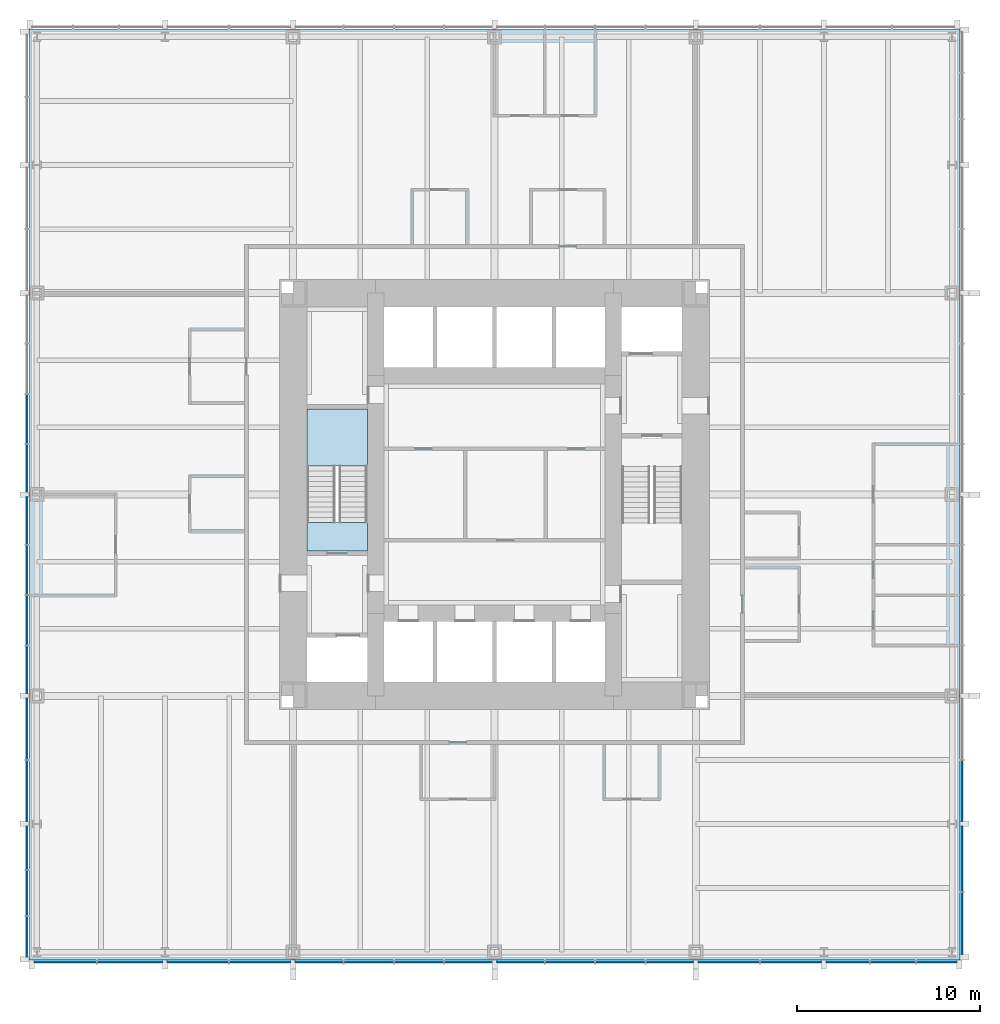
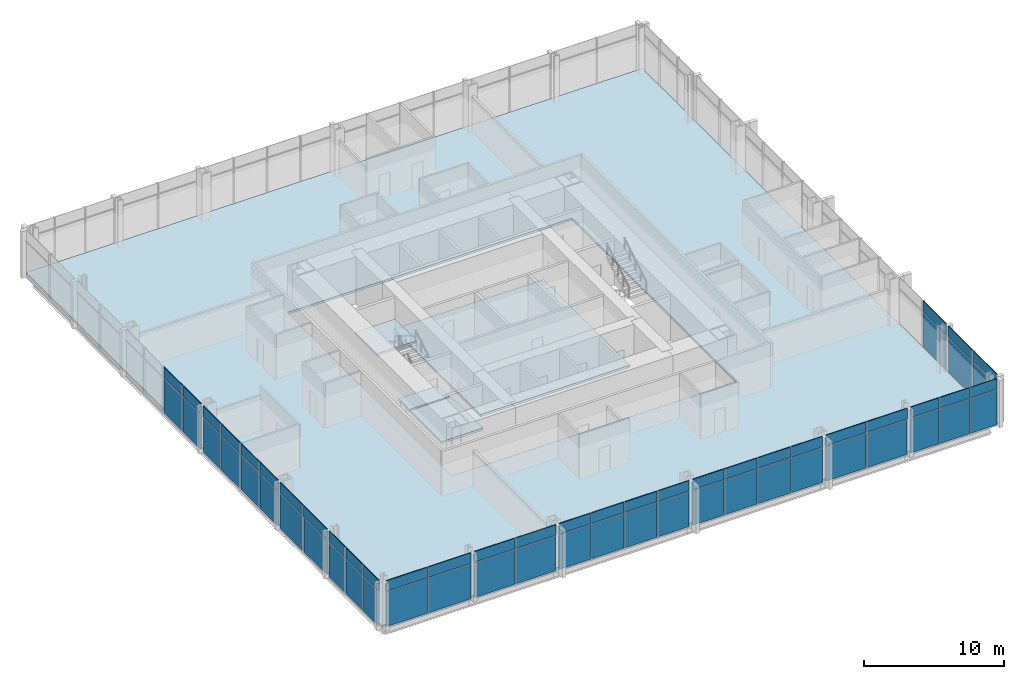
# One storey, part 7 of 12: 62 plates, 5 slabs, 4 elements without a shape of their own.
"""IFC4 building model written with IfcOpenShell, lengths in metres."""

import ifcopenshell
import ifcopenshell.guid

model = None  # the IFC model being written
_history = None  # IfcOwnerHistory: only IFC2X3 demands one
_inside = {}  # id of a spatial element -> (the spatial element, [elements in it])
_under = {}  # id of a project, library or spatial element -> (it, [spatial elements below it])
_declared = {}  # id of a project -> (the project, [libraries it declares])
_typed = {}  # id of a type object -> (the type object, [elements of that type])
_made_of = {}  # id of a material, layer set ... -> (it, [elements and type objects made of it])


def new_model(schema):
    """Start an empty IFC model of exactly this schema.

    Asked for "IFC4X3", IfcOpenShell would pick the latest addendum, in which some entities
    have other attributes; the version numbers below select the first issue.
    IFC2X3 requires an IfcOwnerHistory on every rooted entity: one is made here for all.
    """
    global model, _history
    if schema == "IFC4X3":
        model = ifcopenshell.file(schema_version=(4, 3, 0, 0))
    else:
        model = ifcopenshell.file(schema=schema)
    _inside.clear()
    _under.clear()
    _declared.clear()
    _typed.clear()
    _made_of.clear()
    _history = None
    if model.schema == "IFC2X3":
        org = make("IfcOrganization", Name="unknown")
        user = make(
            "IfcPersonAndOrganization",
            ThePerson=make("IfcPerson", FamilyName="unknown"),
            TheOrganization=org,
        )
        app = make(
            "IfcApplication",
            ApplicationDeveloper=org,
            Version="unknown",
            ApplicationFullName="unknown",
            ApplicationIdentifier="unknown",
        )
        _history = make(
            "IfcOwnerHistory",
            OwningUser=user,
            OwningApplication=app,
            ChangeAction="ADDED",
            CreationDate=0,
        )
    return model


def make(cls, **values):
    """One entity of the class cls with the attributes given. An attribute that is None is left unset."""
    return model.create_entity(
        cls, **{name: value for name, value in values.items() if value is not None}
    )


def rooted(cls, **values):
    """An entity with a GlobalId (a new one), such as an element, a storey or a relation."""
    return make(cls, GlobalId=ifcopenshell.guid.new(), OwnerHistory=_history, **values)


def si_unit(unit_type, name, prefix=None):
    """IfcSIUnit, for example si_unit("LENGTHUNIT", "METRE", prefix="MILLI")."""
    return make("IfcSIUnit", UnitType=unit_type, Prefix=prefix, Name=name)


def assignment(units):
    """IfcUnitAssignment: the units of a project."""
    return None if units is None else make("IfcUnitAssignment", Units=units)


def point(xyz):
    """IfcCartesianPoint."""
    return None if xyz is None else make("IfcCartesianPoint", Coordinates=xyz)


def direction(xyz):
    """IfcDirection."""
    return None if xyz is None else make("IfcDirection", DirectionRatios=xyz)


def frame(location, z_axis=None, x_axis=None):
    """IfcAxis2Placement3D, a coordinate frame: its origin and axes. An axis left out is left unset."""
    return make(
        "IfcAxis2Placement3D",
        Location=point(location),
        Axis=direction(z_axis),
        RefDirection=direction(x_axis),
    )


def frame_2d(location, x_axis=None):
    """IfcAxis2Placement2D, a coordinate frame in the plane: its origin and x axis."""
    return make(
        "IfcAxis2Placement2D", Location=point(location), RefDirection=direction(x_axis)
    )


def origin():
    """The frame at (0, 0, 0) with its axes left unset."""
    return frame((0.0, 0.0, 0.0))


def origin_2d():
    """The frame at (0, 0) in the plane with its x axis left unset."""
    return frame_2d((0.0, 0.0))


def place(relative_to, where):
    """IfcLocalPlacement: puts the frame where relative to a parent placement (None: the world)."""
    return make(
        "IfcLocalPlacement", PlacementRelTo=relative_to, RelativePlacement=where
    )


def context(
    kind, dimensions, precision=None, world=None, true_north=None, identifier=None
):
    """IfcGeometricRepresentationContext, for example the 3D "Model" context."""
    return make(
        "IfcGeometricRepresentationContext",
        ContextIdentifier=identifier,
        ContextType=kind,
        CoordinateSpaceDimension=dimensions,
        Precision=precision,
        WorldCoordinateSystem=world,
        TrueNorth=true_north,
    )


def subcontext(parent, identifier, kind, view, scale=None):
    """IfcGeometricRepresentationSubContext, for example "Body" below "Model"."""
    return make(
        "IfcGeometricRepresentationSubContext",
        ContextIdentifier=identifier,
        ContextType=kind,
        ParentContext=parent,
        TargetScale=scale,
        TargetView=view,
    )


def project(units=None, contexts=None):
    """IfcProject with its units and contexts."""
    return rooted(
        "IfcProject",
        Name="project",
        RepresentationContexts=contexts,
        UnitsInContext=assignment(units),
    )


def spatial(cls, under=None, at=None, **own):
    """A site, building, storey or space (cls), placed at a placement, below another one or the project."""
    s = rooted(cls, ObjectPlacement=at, **own)
    if under is not None:
        _under.setdefault(under.id(), (under, []))[1].append(s)
    return s


def polyline(points):
    """IfcPolyline through the points."""
    return make("IfcPolyline", Points=[point(p) for p in points])


def profile(cls, at=None, kind="AREA", **sizes):
    """A parametric profile (cls). Its sizes go by their IFC names, for example OverallWidth=200.0."""
    return make(cls, ProfileType=kind, Position=at, **sizes)


def rectangle(**sizes):
    """IfcRectangleProfileDef."""
    return profile("IfcRectangleProfileDef", **sizes)


def outline(outer, holes=None, kind="AREA"):
    """IfcArbitraryClosedProfileDef: a profile drawn as a closed curve; with holes, ...WithVoids."""
    if holes is None:
        return make("IfcArbitraryClosedProfileDef", ProfileType=kind, OuterCurve=outer)
    return make(
        "IfcArbitraryProfileDefWithVoids",
        ProfileType=kind,
        OuterCurve=outer,
        InnerCurves=holes,
    )


def extrude(swept, where, along, depth):
    """IfcExtrudedAreaSolid: the profile swept, set in the frame where, extruded along a direction by depth."""
    return make(
        "IfcExtrudedAreaSolid",
        SweptArea=swept,
        Position=where,
        ExtrudedDirection=direction(along),
        Depth=depth,
    )


def shape(context_of_items, identifier, shape_type, items):
    """IfcShapeRepresentation: the items that make up one representation, for example the "Body"."""
    return make(
        "IfcShapeRepresentation",
        ContextOfItems=context_of_items,
        RepresentationIdentifier=identifier,
        RepresentationType=shape_type,
        Items=items,
    )


def material(Name=None, Category=None):
    """IfcMaterial."""
    return make("IfcMaterial", Name=Name, Category=Category)


def layer(
    of_material, thickness, ventilated=None, Name=None, Category=None, Priority=None
):
    """IfcMaterialLayer: one layer of a wall or slab, of a material (None: an air gap)."""
    return make(
        "IfcMaterialLayer",
        Material=of_material,
        LayerThickness=thickness,
        IsVentilated=ventilated,
        Name=Name,
        Category=Category,
        Priority=Priority,
    )


def layer_set(layers, Name=None):
    """IfcMaterialLayerSet."""
    return make("IfcMaterialLayerSet", MaterialLayers=layers, LayerSetName=Name)


def made_of(thing, what):
    """Note that an element or type object is made of a material, layer set ...; save() writes the relation."""
    if what is not None:
        _made_of.setdefault(what.id(), (what, []))[1].append(thing)
    return thing


def type_object(cls, material=None, **own):
    """A type object (cls), such as IfcWallType, which elements share."""
    return made_of(rooted(cls, **own), material)


def element(
    cls,
    number,
    at=None,
    inside=None,
    cuts=None,
    type_object=None,
    material=None,
    context=None,
    identifier="Body",
    shape_type=None,
    held_by="IfcProductDefinitionShape",
    body=None,
    shapes=None,
    **own,
):
    """One element of the class cls, such as IfcWall. Its Tag is "e" and its number.

    at: its placement. inside: the storey or other place that contains it. cuts: it is an
    opening in that element (IfcRelVoidsElement). A single representation is given by context,
    identifier, shape_type and body (its items); several are given by shapes. held_by: the class
    of the entity that holds the representations. save() writes the other relations.
    """
    e = rooted(cls, Tag="e%d" % number, ObjectPlacement=at, **own)
    if body is not None:
        shapes = [shape(context, identifier, shape_type, body)]
    if shapes is not None:
        e.Representation = make(held_by, Representations=shapes)
    if inside is not None:
        _inside.setdefault(inside.id(), (inside, []))[1].append(e)
    if cuts is not None:
        rooted(
            "IfcRelVoidsElement", RelatingBuildingElement=cuts, RelatedOpeningElement=e
        )
    if type_object is not None:
        _typed.setdefault(type_object.id(), (type_object, []))[1].append(e)
    return made_of(e, material)


def aggregate(whole, parts):
    """IfcRelAggregates: a whole, such as a stair, and the parts it consists of."""
    return rooted("IfcRelAggregates", RelatingObject=whole, RelatedObjects=parts)


def save(model, path):
    """Write the relations noted so far, then the file.

    IfcRelAggregates (storeys below a building ...), IfcRelContainedInSpatialStructure (elements
    in a storey), IfcRelDefinesByType, IfcRelAssociatesMaterial and IfcRelDeclares: one each for
    every whole, place, type object, material and project.
    """
    for whole, parts in _under.values():
        aggregate(whole, parts)
    for where, things in _inside.values():
        rooted(
            "IfcRelContainedInSpatialStructure",
            RelatedElements=things,
            RelatingStructure=where,
        )
    for kind, things in _typed.values():
        rooted("IfcRelDefinesByType", RelatedObjects=things, RelatingType=kind)
    for what, things in _made_of.values():
        rooted("IfcRelAssociatesMaterial", RelatedObjects=things, RelatingMaterial=what)
    for by, libraries in _declared.values():
        rooted("IfcRelDeclares", RelatingContext=by, RelatedDefinitions=libraries)
    model.write(path)


model = new_model("IFC4")

# Units and contexts
model_context = context("Model", 3, precision=1e-05, world=origin(), true_north=direction((0.0, 1.0)))
body_context = subcontext(model_context, "Body", "Model", "MODEL_VIEW")
ifc_project = project(units=[si_unit("LENGTHUNIT", "METRE"), si_unit("AREAUNIT", "SQUARE_METRE"), si_unit("VOLUMEUNIT", "CUBIC_METRE"), si_unit("PLANEANGLEUNIT", "RADIAN"), si_unit("MASSUNIT", "GRAM", prefix="KILO")], contexts=[model_context])

# Site, building, storey
site_placement = place(None, origin())
site = spatial("IfcSite", under=ifc_project, at=site_placement, CompositionType="ELEMENT")
building_placement = place(site_placement, origin())
building = spatial("IfcBuilding", under=site, at=building_placement, Name="Trevanion Tower", CompositionType="ELEMENT")
storey_placement = place(building_placement, frame((0.0, 0.0, 24.199951171875)))
storey = spatial("IfcBuildingStorey", under=building, at=storey_placement, Name="L05", CompositionType="ELEMENT", Elevation=24.199951171875)

# Curtain wall, plates
ifc_material_1 = material(Name="Aluminium and glass", Category="aluminium")
curtain_wall_type = type_object("IfcCurtainWallType", Name="CW1 curtain wall", PredefinedType="USERDEFINED", material=ifc_material_1)
curtain_wall_1_placement = place(storey_placement, origin())
curtain_wall_1 = element("IfcCurtainWall", 1, at=curtain_wall_1_placement, inside=storey, type_object=curtain_wall_type, Name="CW1 L05 0", ObjectType="UNITISED CURTAIN WALL", PredefinedType="USERDEFINED")
ifc_material_2 = material(Name="Aluminium spandrel panel", Category="aluminium")
ifc_layer_1 = layer(ifc_material_2, 0.06005859375)
ifc_layer_set_1 = layer_set([ifc_layer_1], Name="CW1 spandrel panel")
plate_type_1 = type_object("IfcPlateType", Name="CW1 spandrel panel", PredefinedType="CURTAIN_PANEL", material=ifc_layer_set_1)
plate_1_placement = place(storey_placement, frame((25.550048828125, -23.433837890625, 2.99755859375), z_axis=(0.0, 0.0, 1.0), x_axis=(0.0, 1.0, 0.0)))
plate_1 = element("IfcPlate", 2, at=plate_1_placement, type_object=plate_type_1, Name="CW1 panel 1.2", PredefinedType="CURTAIN_PANEL", context=body_context, shape_type="SweptSolid", body=[
    extrude(rectangle(XDim=3.37255859375, YDim=0.06005859375, at=origin_2d()), origin(), (0.0, 0.0, 1.0), 0.91259765625),
])
plate_2_placement = place(storey_placement, frame((25.550048828125, -19.911376953125, 2.99755859375), z_axis=(0.0, 0.0, 1.0), x_axis=(0.0, 1.0, 0.0)))
plate_2 = element("IfcPlate", 3, at=plate_2_placement, type_object=plate_type_1, Name="CW1 panel 2.2", PredefinedType="CURTAIN_PANEL", context=body_context, shape_type="SweptSolid", body=[
    extrude(rectangle(XDim=3.5224609375, YDim=0.06005859375, at=origin_2d()), origin(), (0.0, 0.0, 1.0), 0.91259765625),
])
plate_3_placement = place(storey_placement, frame((25.550048828125, -16.19384765625, 2.99755859375), z_axis=(0.0, 0.0, 1.0), x_axis=(0.0, 1.0, 0.0)))
plate_3 = element("IfcPlate", 4, at=plate_3_placement, type_object=plate_type_1, Name="CW1 panel 3.2", PredefinedType="CURTAIN_PANEL", context=body_context, shape_type="SweptSolid", body=[
    extrude(rectangle(XDim=3.3125, YDim=0.06005859375, at=origin_2d()), origin(), (0.0, 0.0, 1.0), 0.91259765625),
])

curtain_wall_2_placement = place(storey_placement, origin())
curtain_wall_2 = element("IfcCurtainWall", 5, at=curtain_wall_2_placement, inside=storey, type_object=curtain_wall_type, Name="CW1 L05 2", ObjectType="UNITISED CURTAIN WALL", PredefinedType="USERDEFINED")
plate_4_placement = place(storey_placement, frame((-25.550048828125, 4.125, 2.99755859375), z_axis=(0.0, 0.0, 1.0), x_axis=(0.0, -1.0, 0.0)))
plate_4 = element("IfcPlate", 6, at=plate_4_placement, type_object=plate_type_1, Name="CW1 panel 7.2", PredefinedType="CURTAIN_PANEL", context=body_context, shape_type="SweptSolid", body=[
    extrude(rectangle(XDim=2.675048828125, YDim=0.06005859375, at=origin_2d()), origin(), (0.0, 0.0, 1.0), 0.91259765625),
])
plate_5_placement = place(storey_placement, frame((-25.550048828125, 1.43115234375, 2.99755859375), z_axis=(0.0, 0.0, 1.0), x_axis=(0.0, -1.0, 0.0)))
plate_5 = element("IfcPlate", 7, at=plate_5_placement, type_object=plate_type_1, Name="CW1 panel 8.2", PredefinedType="CURTAIN_PANEL", context=body_context, shape_type="SweptSolid", body=[
    extrude(rectangle(XDim=2.5625, YDim=0.06005859375, at=origin_2d()), origin(), (0.0, 0.0, 1.0), 0.91259765625),
])
plate_6_placement = place(storey_placement, frame((-25.550048828125, -1.43115234375, 2.99755859375), z_axis=(0.0, 0.0, 1.0), x_axis=(0.0, -1.0, 0.0)))
plate_6 = element("IfcPlate", 8, at=plate_6_placement, type_object=plate_type_1, Name="CW1 panel 9.2", PredefinedType="CURTAIN_PANEL", context=body_context, shape_type="SweptSolid", body=[
    extrude(rectangle(XDim=2.5625, YDim=0.06005859375, at=origin_2d()), origin(), (0.0, 0.0, 1.0), 0.91259765625),
])
plate_7_placement = place(storey_placement, frame((-25.550048828125, -4.125, 2.99755859375), z_axis=(0.0, 0.0, 1.0), x_axis=(0.0, -1.0, 0.0)))
plate_7 = element("IfcPlate", 9, at=plate_7_placement, type_object=plate_type_1, Name="CW1 panel 10.2", PredefinedType="CURTAIN_PANEL", context=body_context, shape_type="SweptSolid", body=[
    extrude(rectangle(XDim=2.675048828125, YDim=0.06005859375, at=origin_2d()), origin(), (0.0, 0.0, 1.0), 0.91259765625),
])
plate_8_placement = place(storey_placement, frame((-25.550048828125, -6.875, 2.99755859375), z_axis=(0.0, 0.0, 1.0), x_axis=(0.0, -1.0, 0.0)))
plate_8 = element("IfcPlate", 10, at=plate_8_placement, type_object=plate_type_1, Name="CW1 panel 11.2", PredefinedType="CURTAIN_PANEL", context=body_context, shape_type="SweptSolid", body=[
    extrude(rectangle(XDim=2.675048828125, YDim=0.06005859375, at=origin_2d()), origin(), (0.0, 0.0, 1.0), 0.91259765625),
])
plate_9_placement = place(storey_placement, frame((-25.550048828125, -9.56884765625, 2.99755859375), z_axis=(0.0, 0.0, 1.0), x_axis=(0.0, -1.0, 0.0)))
plate_9 = element("IfcPlate", 11, at=plate_9_placement, type_object=plate_type_1, Name="CW1 panel 12.2", PredefinedType="CURTAIN_PANEL", context=body_context, shape_type="SweptSolid", body=[
    extrude(rectangle(XDim=2.5625, YDim=0.06005859375, at=origin_2d()), origin(), (0.0, 0.0, 1.0), 0.91259765625),
])
plate_10_placement = place(storey_placement, frame((-25.550048828125, -12.80615234375, 2.99755859375), z_axis=(0.0, 0.0, 1.0), x_axis=(0.0, -1.0, 0.0)))
plate_10 = element("IfcPlate", 12, at=plate_10_placement, type_object=plate_type_1, Name="CW1 panel 13.2", PredefinedType="CURTAIN_PANEL", context=body_context, shape_type="SweptSolid", body=[
    extrude(rectangle(XDim=3.3125, YDim=0.06005859375, at=origin_2d()), origin(), (0.0, 0.0, 1.0), 0.91259765625),
])
plate_11_placement = place(storey_placement, frame((-25.550048828125, -16.19384765625, 2.99755859375), z_axis=(0.0, 0.0, 1.0), x_axis=(0.0, -1.0, 0.0)))
plate_11 = element("IfcPlate", 13, at=plate_11_placement, type_object=plate_type_1, Name="CW1 panel 14.2", PredefinedType="CURTAIN_PANEL", context=body_context, shape_type="SweptSolid", body=[
    extrude(rectangle(XDim=3.3125, YDim=0.06005859375, at=origin_2d()), origin(), (0.0, 0.0, 1.0), 0.91259765625),
])
plate_12_placement = place(storey_placement, frame((-25.550048828125, -19.314697265625, 2.99755859375), z_axis=(0.0, 0.0, 1.0), x_axis=(0.0, -1.0, 0.0)))
plate_12 = element("IfcPlate", 14, at=plate_12_placement, type_object=plate_type_1, Name="CW1 panel 15.2", PredefinedType="CURTAIN_PANEL", context=body_context, shape_type="SweptSolid", body=[
    extrude(rectangle(XDim=2.3291015625, YDim=0.06005859375, at=origin_2d()), origin(), (0.0, 0.0, 1.0), 0.91259765625),
])
plate_13_placement = place(storey_placement, frame((-25.550048828125, -21.77490234375, 2.99755859375), z_axis=(0.0, 0.0, 1.0), x_axis=(0.0, -1.0, 0.0)))
plate_13 = element("IfcPlate", 15, at=plate_13_placement, type_object=plate_type_1, Name="CW1 panel 16.2", PredefinedType="CURTAIN_PANEL", context=body_context, shape_type="SweptSolid", body=[
    extrude(rectangle(XDim=2.441650390625, YDim=0.06005859375, at=origin_2d()), origin(), (0.0, 0.0, 1.0), 0.91259765625),
])
plate_14_placement = place(storey_placement, frame((-25.550048828125, -24.160400390625, 2.99755859375), z_axis=(0.0, 0.0, 1.0), x_axis=(0.0, -1.0, 0.0)))
plate_14 = element("IfcPlate", 16, at=plate_14_placement, type_object=plate_type_1, Name="CW1 panel 17.2", PredefinedType="CURTAIN_PANEL", context=body_context, shape_type="SweptSolid", body=[
    extrude(rectangle(XDim=2.17919921875, YDim=0.06005859375, at=origin_2d()), origin(), (0.0, 0.0, 1.0), 0.91259765625),
])

curtain_wall_3_placement = place(storey_placement, origin())
curtain_wall_3 = element("IfcCurtainWall", 17, at=curtain_wall_3_placement, inside=storey, type_object=curtain_wall_type, Name="CW1 L05 3", ObjectType="UNITISED CURTAIN WALL", PredefinedType="USERDEFINED")
plate_15_placement = place(storey_placement, frame((-23.433837890625, -25.550048828125, 2.99755859375), z_axis=(0.0, 0.0, 1.0), x_axis=(1.0, 0.0, 0.0)))
plate_15 = element("IfcPlate", 18, at=plate_15_placement, type_object=plate_type_1, Name="CW1 panel 1.2", PredefinedType="CURTAIN_PANEL", context=body_context, shape_type="SweptSolid", body=[
    extrude(rectangle(XDim=3.37255859375, YDim=0.06005859375, at=origin_2d()), origin(), (0.0, 0.0, 1.0), 0.91259765625),
])
plate_16_placement = place(storey_placement, frame((-19.911376953125, -25.550048828125, 2.99755859375), z_axis=(0.0, 0.0, 1.0), x_axis=(1.0, 0.0, 0.0)))
plate_16 = element("IfcPlate", 19, at=plate_16_placement, type_object=plate_type_1, Name="CW1 panel 2.2", PredefinedType="CURTAIN_PANEL", context=body_context, shape_type="SweptSolid", body=[
    extrude(rectangle(XDim=3.5224609375, YDim=0.06005859375, at=origin_2d()), origin(), (0.0, 0.0, 1.0), 0.91259765625),
])
plate_17_placement = place(storey_placement, frame((-16.19384765625, -25.550048828125, 2.99755859375), z_axis=(0.0, 0.0, 1.0), x_axis=(1.0, 0.0, 0.0)))
plate_17 = element("IfcPlate", 20, at=plate_17_placement, type_object=plate_type_1, Name="CW1 panel 3.2", PredefinedType="CURTAIN_PANEL", context=body_context, shape_type="SweptSolid", body=[
    extrude(rectangle(XDim=3.3125, YDim=0.06005859375, at=origin_2d()), origin(), (0.0, 0.0, 1.0), 0.91259765625),
])
plate_18_placement = place(storey_placement, frame((-12.806396484375, -25.550048828125, 2.99755859375), z_axis=(0.0, 0.0, 1.0), x_axis=(1.0, 0.0, 0.0)))
plate_18 = element("IfcPlate", 21, at=plate_18_placement, type_object=plate_type_1, Name="CW1 panel 4.2", PredefinedType="CURTAIN_PANEL", context=body_context, shape_type="SweptSolid", body=[
    extrude(rectangle(XDim=3.3125, YDim=0.06005859375, at=origin_2d()), origin(), (0.0, 0.0, 1.0), 0.91259765625),
])
plate_19_placement = place(storey_placement, frame((-9.56884765625, -25.550048828125, 2.99755859375), z_axis=(0.0, 0.0, 1.0), x_axis=(1.0, 0.0, 0.0)))
plate_19 = element("IfcPlate", 22, at=plate_19_placement, type_object=plate_type_1, Name="CW1 panel 5.2", PredefinedType="CURTAIN_PANEL", context=body_context, shape_type="SweptSolid", body=[
    extrude(rectangle(XDim=2.5625, YDim=0.06005859375, at=origin_2d()), origin(), (0.0, 0.0, 1.0), 0.91259765625),
])
plate_20_placement = place(storey_placement, frame((-6.875, -25.550048828125, 2.99755859375), z_axis=(0.0, 0.0, 1.0), x_axis=(1.0, 0.0, 0.0)))
plate_20 = element("IfcPlate", 23, at=plate_20_placement, type_object=plate_type_1, Name="CW1 panel 6.2", PredefinedType="CURTAIN_PANEL", context=body_context, shape_type="SweptSolid", body=[
    extrude(rectangle(XDim=2.675048828125, YDim=0.06005859375, at=origin_2d()), origin(), (0.0, 0.0, 1.0), 0.91259765625),
])
plate_21_placement = place(storey_placement, frame((-4.125, -25.550048828125, 2.99755859375), z_axis=(0.0, 0.0, 1.0), x_axis=(1.0, 0.0, 0.0)))
plate_21 = element("IfcPlate", 24, at=plate_21_placement, type_object=plate_type_1, Name="CW1 panel 7.2", PredefinedType="CURTAIN_PANEL", context=body_context, shape_type="SweptSolid", body=[
    extrude(rectangle(XDim=2.675048828125, YDim=0.06005859375, at=origin_2d()), origin(), (0.0, 0.0, 1.0), 0.91259765625),
])
plate_22_placement = place(storey_placement, frame((-1.43115234375, -25.550048828125, 2.99755859375), z_axis=(0.0, 0.0, 1.0), x_axis=(1.0, 0.0, 0.0)))
plate_22 = element("IfcPlate", 25, at=plate_22_placement, type_object=plate_type_1, Name="CW1 panel 8.2", PredefinedType="CURTAIN_PANEL", context=body_context, shape_type="SweptSolid", body=[
    extrude(rectangle(XDim=2.5625, YDim=0.06005859375, at=origin_2d()), origin(), (0.0, 0.0, 1.0), 0.91259765625),
])
plate_23_placement = place(storey_placement, frame((1.43115234375, -25.550048828125, 2.99755859375), z_axis=(0.0, 0.0, 1.0), x_axis=(1.0, 0.0, 0.0)))
plate_23 = element("IfcPlate", 26, at=plate_23_placement, type_object=plate_type_1, Name="CW1 panel 9.2", PredefinedType="CURTAIN_PANEL", context=body_context, shape_type="SweptSolid", body=[
    extrude(rectangle(XDim=2.5625, YDim=0.06005859375, at=origin_2d()), origin(), (0.0, 0.0, 1.0), 0.91259765625),
])
plate_24_placement = place(storey_placement, frame((4.125, -25.550048828125, 2.99755859375), z_axis=(0.0, 0.0, 1.0), x_axis=(1.0, 0.0, 0.0)))
plate_24 = element("IfcPlate", 27, at=plate_24_placement, type_object=plate_type_1, Name="CW1 panel 10.2", PredefinedType="CURTAIN_PANEL", context=body_context, shape_type="SweptSolid", body=[
    extrude(rectangle(XDim=2.675048828125, YDim=0.06005859375, at=origin_2d()), origin(), (0.0, 0.0, 1.0), 0.91259765625),
])
plate_25_placement = place(storey_placement, frame((6.875, -25.550048828125, 2.99755859375), z_axis=(0.0, 0.0, 1.0), x_axis=(1.0, 0.0, 0.0)))
plate_25 = element("IfcPlate", 28, at=plate_25_placement, type_object=plate_type_1, Name="CW1 panel 11.2", PredefinedType="CURTAIN_PANEL", context=body_context, shape_type="SweptSolid", body=[
    extrude(rectangle(XDim=2.675048828125, YDim=0.06005859375, at=origin_2d()), origin(), (0.0, 0.0, 1.0), 0.91259765625),
])
plate_26_placement = place(storey_placement, frame((9.56884765625, -25.550048828125, 2.99755859375), z_axis=(0.0, 0.0, 1.0), x_axis=(1.0, 0.0, 0.0)))
plate_26 = element("IfcPlate", 29, at=plate_26_placement, type_object=plate_type_1, Name="CW1 panel 12.2", PredefinedType="CURTAIN_PANEL", context=body_context, shape_type="SweptSolid", body=[
    extrude(rectangle(XDim=2.5625, YDim=0.06005859375, at=origin_2d()), origin(), (0.0, 0.0, 1.0), 0.91259765625),
])
plate_27_placement = place(storey_placement, frame((12.80615234375, -25.550048828125, 2.99755859375), z_axis=(0.0, 0.0, 1.0), x_axis=(1.0, 0.0, 0.0)))
plate_27 = element("IfcPlate", 30, at=plate_27_placement, type_object=plate_type_1, Name="CW1 panel 13.2", PredefinedType="CURTAIN_PANEL", context=body_context, shape_type="SweptSolid", body=[
    extrude(rectangle(XDim=3.3125, YDim=0.06005859375, at=origin_2d()), origin(), (0.0, 0.0, 1.0), 0.91259765625),
])
plate_28_placement = place(storey_placement, frame((16.19384765625, -25.550048828125, 2.99755859375), z_axis=(0.0, 0.0, 1.0), x_axis=(1.0, 0.0, 0.0)))
plate_28 = element("IfcPlate", 31, at=plate_28_placement, type_object=plate_type_1, Name="CW1 panel 14.2", PredefinedType="CURTAIN_PANEL", context=body_context, shape_type="SweptSolid", body=[
    extrude(rectangle(XDim=3.3125, YDim=0.06005859375, at=origin_2d()), origin(), (0.0, 0.0, 1.0), 0.91259765625),
])
plate_29_placement = place(storey_placement, frame((19.314697265625, -25.550048828125, 2.99755859375), z_axis=(0.0, 0.0, 1.0), x_axis=(1.0, 0.0, 0.0)))
plate_29 = element("IfcPlate", 32, at=plate_29_placement, type_object=plate_type_1, Name="CW1 panel 15.2", PredefinedType="CURTAIN_PANEL", context=body_context, shape_type="SweptSolid", body=[
    extrude(rectangle(XDim=2.3291015625, YDim=0.06005859375, at=origin_2d()), origin(), (0.0, 0.0, 1.0), 0.91259765625),
])
plate_30_placement = place(storey_placement, frame((21.77490234375, -25.550048828125, 2.99755859375), z_axis=(0.0, 0.0, 1.0), x_axis=(1.0, 0.0, 0.0)))
plate_30 = element("IfcPlate", 33, at=plate_30_placement, type_object=plate_type_1, Name="CW1 panel 16.2", PredefinedType="CURTAIN_PANEL", context=body_context, shape_type="SweptSolid", body=[
    extrude(rectangle(XDim=2.441650390625, YDim=0.06005859375, at=origin_2d()), origin(), (0.0, 0.0, 1.0), 0.91259765625),
])
plate_31_placement = place(storey_placement, frame((24.160400390625, -25.550048828125, 2.99755859375), z_axis=(0.0, 0.0, 1.0), x_axis=(1.0, 0.0, 0.0)))
plate_31 = element("IfcPlate", 34, at=plate_31_placement, type_object=plate_type_1, Name="CW1 panel 17.2", PredefinedType="CURTAIN_PANEL", context=body_context, shape_type="SweptSolid", body=[
    extrude(rectangle(XDim=2.17919921875, YDim=0.06005859375, at=origin_2d()), origin(), (0.0, 0.0, 1.0), 0.91259765625),
])

# Plate
ifc_material_3 = material(Name="Insulating glass unit", Category="glass")
ifc_layer_2 = layer(ifc_material_3, 0.028076171875)
ifc_layer_set_2 = layer_set([ifc_layer_2], Name="CW1 vision panel")
plate_type_2 = type_object("IfcPlateType", Name="CW1 vision panel", PredefinedType="CURTAIN_PANEL", material=ifc_layer_set_2)
plate_32_placement = place(storey_placement, frame((25.550048828125, -23.433837890625, -0.114990234375), z_axis=(0.0, 0.0, 1.0), x_axis=(0.0, 1.0, 0.0)))
plate_32 = element("IfcPlate", 35, at=plate_32_placement, type_object=plate_type_2, Name="CW1 panel 1.1", PredefinedType="CURTAIN_PANEL", context=body_context, shape_type="SweptSolid", body=[
    extrude(rectangle(XDim=3.37255859375, YDim=0.028076171875, at=origin_2d()), origin(), (0.0, 0.0, 1.0), 3.03759765625),
])

plate_33_placement = place(storey_placement, frame((25.550048828125, -19.911376953125, -0.114990234375), z_axis=(0.0, 0.0, 1.0), x_axis=(0.0, 1.0, 0.0)))
plate_33 = element("IfcPlate", 36, at=plate_33_placement, type_object=plate_type_2, Name="CW1 panel 2.1", PredefinedType="CURTAIN_PANEL", context=body_context, shape_type="SweptSolid", body=[
    extrude(rectangle(XDim=3.5224609375, YDim=0.028076171875, at=origin_2d()), origin(), (0.0, 0.0, 1.0), 3.03759765625),
])

plate_34_placement = place(storey_placement, frame((25.550048828125, -16.19384765625, -0.114990234375), z_axis=(0.0, 0.0, 1.0), x_axis=(0.0, 1.0, 0.0)))
plate_34 = element("IfcPlate", 37, at=plate_34_placement, type_object=plate_type_2, Name="CW1 panel 3.1", PredefinedType="CURTAIN_PANEL", context=body_context, shape_type="SweptSolid", body=[
    extrude(rectangle(XDim=3.3125, YDim=0.028076171875, at=origin_2d()), origin(), (0.0, 0.0, 1.0), 3.03759765625),
])

aggregate(curtain_wall_1, [plate_32, plate_1, plate_33, plate_2, plate_34, plate_3])

plate_35_placement = place(storey_placement, frame((-25.550048828125, 4.125, -0.114990234375), z_axis=(0.0, 0.0, 1.0), x_axis=(0.0, -1.0, 0.0)))
plate_35 = element("IfcPlate", 38, at=plate_35_placement, type_object=plate_type_2, Name="CW1 panel 7.1", PredefinedType="CURTAIN_PANEL", context=body_context, shape_type="SweptSolid", body=[
    extrude(rectangle(XDim=2.675048828125, YDim=0.028076171875, at=origin_2d()), origin(), (0.0, 0.0, 1.0), 3.03759765625),
])

plate_36_placement = place(storey_placement, frame((-25.550048828125, 1.43115234375, -0.114990234375), z_axis=(0.0, 0.0, 1.0), x_axis=(0.0, -1.0, 0.0)))
plate_36 = element("IfcPlate", 39, at=plate_36_placement, type_object=plate_type_2, Name="CW1 panel 8.1", PredefinedType="CURTAIN_PANEL", context=body_context, shape_type="SweptSolid", body=[
    extrude(rectangle(XDim=2.5625, YDim=0.028076171875, at=origin_2d()), origin(), (0.0, 0.0, 1.0), 3.03759765625),
])

plate_37_placement = place(storey_placement, frame((-25.550048828125, -1.43115234375, -0.114990234375), z_axis=(0.0, 0.0, 1.0), x_axis=(0.0, -1.0, 0.0)))
plate_37 = element("IfcPlate", 40, at=plate_37_placement, type_object=plate_type_2, Name="CW1 panel 9.1", PredefinedType="CURTAIN_PANEL", context=body_context, shape_type="SweptSolid", body=[
    extrude(rectangle(XDim=2.5625, YDim=0.028076171875, at=origin_2d()), origin(), (0.0, 0.0, 1.0), 3.03759765625),
])

plate_38_placement = place(storey_placement, frame((-25.550048828125, -4.125, -0.114990234375), z_axis=(0.0, 0.0, 1.0), x_axis=(0.0, -1.0, 0.0)))
plate_38 = element("IfcPlate", 41, at=plate_38_placement, type_object=plate_type_2, Name="CW1 panel 10.1", PredefinedType="CURTAIN_PANEL", context=body_context, shape_type="SweptSolid", body=[
    extrude(rectangle(XDim=2.675048828125, YDim=0.028076171875, at=origin_2d()), origin(), (0.0, 0.0, 1.0), 3.03759765625),
])

plate_39_placement = place(storey_placement, frame((-25.550048828125, -6.875, -0.114990234375), z_axis=(0.0, 0.0, 1.0), x_axis=(0.0, -1.0, 0.0)))
plate_39 = element("IfcPlate", 42, at=plate_39_placement, type_object=plate_type_2, Name="CW1 panel 11.1", PredefinedType="CURTAIN_PANEL", context=body_context, shape_type="SweptSolid", body=[
    extrude(rectangle(XDim=2.675048828125, YDim=0.028076171875, at=origin_2d()), origin(), (0.0, 0.0, 1.0), 3.03759765625),
])

plate_40_placement = place(storey_placement, frame((-25.550048828125, -9.56884765625, -0.114990234375), z_axis=(0.0, 0.0, 1.0), x_axis=(0.0, -1.0, 0.0)))
plate_40 = element("IfcPlate", 43, at=plate_40_placement, type_object=plate_type_2, Name="CW1 panel 12.1", PredefinedType="CURTAIN_PANEL", context=body_context, shape_type="SweptSolid", body=[
    extrude(rectangle(XDim=2.5625, YDim=0.028076171875, at=origin_2d()), origin(), (0.0, 0.0, 1.0), 3.03759765625),
])

plate_41_placement = place(storey_placement, frame((-25.550048828125, -12.80615234375, -0.114990234375), z_axis=(0.0, 0.0, 1.0), x_axis=(0.0, -1.0, 0.0)))
plate_41 = element("IfcPlate", 44, at=plate_41_placement, type_object=plate_type_2, Name="CW1 panel 13.1", PredefinedType="CURTAIN_PANEL", context=body_context, shape_type="SweptSolid", body=[
    extrude(rectangle(XDim=3.3125, YDim=0.028076171875, at=origin_2d()), origin(), (0.0, 0.0, 1.0), 3.03759765625),
])

plate_42_placement = place(storey_placement, frame((-25.550048828125, -16.19384765625, -0.114990234375), z_axis=(0.0, 0.0, 1.0), x_axis=(0.0, -1.0, 0.0)))
plate_42 = element("IfcPlate", 45, at=plate_42_placement, type_object=plate_type_2, Name="CW1 panel 14.1", PredefinedType="CURTAIN_PANEL", context=body_context, shape_type="SweptSolid", body=[
    extrude(rectangle(XDim=3.3125, YDim=0.028076171875, at=origin_2d()), origin(), (0.0, 0.0, 1.0), 3.03759765625),
])

plate_43_placement = place(storey_placement, frame((-25.550048828125, -19.314697265625, -0.114990234375), z_axis=(0.0, 0.0, 1.0), x_axis=(0.0, -1.0, 0.0)))
plate_43 = element("IfcPlate", 46, at=plate_43_placement, type_object=plate_type_2, Name="CW1 panel 15.1", PredefinedType="CURTAIN_PANEL", context=body_context, shape_type="SweptSolid", body=[
    extrude(rectangle(XDim=2.3291015625, YDim=0.028076171875, at=origin_2d()), origin(), (0.0, 0.0, 1.0), 3.03759765625),
])

plate_44_placement = place(storey_placement, frame((-25.550048828125, -21.77490234375, -0.114990234375), z_axis=(0.0, 0.0, 1.0), x_axis=(0.0, -1.0, 0.0)))
plate_44 = element("IfcPlate", 47, at=plate_44_placement, type_object=plate_type_2, Name="CW1 panel 16.1", PredefinedType="CURTAIN_PANEL", context=body_context, shape_type="SweptSolid", body=[
    extrude(rectangle(XDim=2.441650390625, YDim=0.028076171875, at=origin_2d()), origin(), (0.0, 0.0, 1.0), 3.03759765625),
])

plate_45_placement = place(storey_placement, frame((-25.550048828125, -24.160400390625, -0.114990234375), z_axis=(0.0, 0.0, 1.0), x_axis=(0.0, -1.0, 0.0)))
plate_45 = element("IfcPlate", 48, at=plate_45_placement, type_object=plate_type_2, Name="CW1 panel 17.1", PredefinedType="CURTAIN_PANEL", context=body_context, shape_type="SweptSolid", body=[
    extrude(rectangle(XDim=2.17919921875, YDim=0.028076171875, at=origin_2d()), origin(), (0.0, 0.0, 1.0), 3.03759765625),
])

aggregate(curtain_wall_2, [plate_35, plate_4, plate_36, plate_5, plate_37, plate_6, plate_38, plate_7, plate_39, plate_8, plate_40, plate_9, plate_41, plate_10, plate_42, plate_11, plate_43, plate_12, plate_44, plate_13, plate_45, plate_14])

plate_46_placement = place(storey_placement, frame((-23.433837890625, -25.550048828125, -0.114990234375), z_axis=(0.0, 0.0, 1.0), x_axis=(1.0, 0.0, 0.0)))
plate_46 = element("IfcPlate", 49, at=plate_46_placement, type_object=plate_type_2, Name="CW1 panel 1.1", PredefinedType="CURTAIN_PANEL", context=body_context, shape_type="SweptSolid", body=[
    extrude(rectangle(XDim=3.37255859375, YDim=0.028076171875, at=origin_2d()), origin(), (0.0, 0.0, 1.0), 3.03759765625),
])

plate_47_placement = place(storey_placement, frame((-19.911376953125, -25.550048828125, -0.114990234375), z_axis=(0.0, 0.0, 1.0), x_axis=(1.0, 0.0, 0.0)))
plate_47 = element("IfcPlate", 50, at=plate_47_placement, type_object=plate_type_2, Name="CW1 panel 2.1", PredefinedType="CURTAIN_PANEL", context=body_context, shape_type="SweptSolid", body=[
    extrude(rectangle(XDim=3.5224609375, YDim=0.028076171875, at=origin_2d()), origin(), (0.0, 0.0, 1.0), 3.03759765625),
])

plate_48_placement = place(storey_placement, frame((-16.19384765625, -25.550048828125, -0.114990234375), z_axis=(0.0, 0.0, 1.0), x_axis=(1.0, 0.0, 0.0)))
plate_48 = element("IfcPlate", 51, at=plate_48_placement, type_object=plate_type_2, Name="CW1 panel 3.1", PredefinedType="CURTAIN_PANEL", context=body_context, shape_type="SweptSolid", body=[
    extrude(rectangle(XDim=3.3125, YDim=0.028076171875, at=origin_2d()), origin(), (0.0, 0.0, 1.0), 3.03759765625),
])

plate_49_placement = place(storey_placement, frame((-12.806396484375, -25.550048828125, -0.114990234375), z_axis=(0.0, 0.0, 1.0), x_axis=(1.0, 0.0, 0.0)))
plate_49 = element("IfcPlate", 52, at=plate_49_placement, type_object=plate_type_2, Name="CW1 panel 4.1", PredefinedType="CURTAIN_PANEL", context=body_context, shape_type="SweptSolid", body=[
    extrude(rectangle(XDim=3.3125, YDim=0.028076171875, at=origin_2d()), origin(), (0.0, 0.0, 1.0), 3.03759765625),
])

plate_50_placement = place(storey_placement, frame((-9.56884765625, -25.550048828125, -0.114990234375), z_axis=(0.0, 0.0, 1.0), x_axis=(1.0, 0.0, 0.0)))
plate_50 = element("IfcPlate", 53, at=plate_50_placement, type_object=plate_type_2, Name="CW1 panel 5.1", PredefinedType="CURTAIN_PANEL", context=body_context, shape_type="SweptSolid", body=[
    extrude(rectangle(XDim=2.5625, YDim=0.028076171875, at=origin_2d()), origin(), (0.0, 0.0, 1.0), 3.03759765625),
])

plate_51_placement = place(storey_placement, frame((-6.875, -25.550048828125, -0.114990234375), z_axis=(0.0, 0.0, 1.0), x_axis=(1.0, 0.0, 0.0)))
plate_51 = element("IfcPlate", 54, at=plate_51_placement, type_object=plate_type_2, Name="CW1 panel 6.1", PredefinedType="CURTAIN_PANEL", context=body_context, shape_type="SweptSolid", body=[
    extrude(rectangle(XDim=2.675048828125, YDim=0.028076171875, at=origin_2d()), origin(), (0.0, 0.0, 1.0), 3.03759765625),
])

plate_52_placement = place(storey_placement, frame((-4.125, -25.550048828125, -0.114990234375), z_axis=(0.0, 0.0, 1.0), x_axis=(1.0, 0.0, 0.0)))
plate_52 = element("IfcPlate", 55, at=plate_52_placement, type_object=plate_type_2, Name="CW1 panel 7.1", PredefinedType="CURTAIN_PANEL", context=body_context, shape_type="SweptSolid", body=[
    extrude(rectangle(XDim=2.675048828125, YDim=0.028076171875, at=origin_2d()), origin(), (0.0, 0.0, 1.0), 3.03759765625),
])

plate_53_placement = place(storey_placement, frame((-1.43115234375, -25.550048828125, -0.114990234375), z_axis=(0.0, 0.0, 1.0), x_axis=(1.0, 0.0, 0.0)))
plate_53 = element("IfcPlate", 56, at=plate_53_placement, type_object=plate_type_2, Name="CW1 panel 8.1", PredefinedType="CURTAIN_PANEL", context=body_context, shape_type="SweptSolid", body=[
    extrude(rectangle(XDim=2.5625, YDim=0.028076171875, at=origin_2d()), origin(), (0.0, 0.0, 1.0), 3.03759765625),
])

plate_54_placement = place(storey_placement, frame((1.43115234375, -25.550048828125, -0.114990234375), z_axis=(0.0, 0.0, 1.0), x_axis=(1.0, 0.0, 0.0)))
plate_54 = element("IfcPlate", 57, at=plate_54_placement, type_object=plate_type_2, Name="CW1 panel 9.1", PredefinedType="CURTAIN_PANEL", context=body_context, shape_type="SweptSolid", body=[
    extrude(rectangle(XDim=2.5625, YDim=0.028076171875, at=origin_2d()), origin(), (0.0, 0.0, 1.0), 3.03759765625),
])

plate_55_placement = place(storey_placement, frame((4.125, -25.550048828125, -0.114990234375), z_axis=(0.0, 0.0, 1.0), x_axis=(1.0, 0.0, 0.0)))
plate_55 = element("IfcPlate", 58, at=plate_55_placement, type_object=plate_type_2, Name="CW1 panel 10.1", PredefinedType="CURTAIN_PANEL", context=body_context, shape_type="SweptSolid", body=[
    extrude(rectangle(XDim=2.675048828125, YDim=0.028076171875, at=origin_2d()), origin(), (0.0, 0.0, 1.0), 3.03759765625),
])

plate_56_placement = place(storey_placement, frame((6.875, -25.550048828125, -0.114990234375), z_axis=(0.0, 0.0, 1.0), x_axis=(1.0, 0.0, 0.0)))
plate_56 = element("IfcPlate", 59, at=plate_56_placement, type_object=plate_type_2, Name="CW1 panel 11.1", PredefinedType="CURTAIN_PANEL", context=body_context, shape_type="SweptSolid", body=[
    extrude(rectangle(XDim=2.675048828125, YDim=0.028076171875, at=origin_2d()), origin(), (0.0, 0.0, 1.0), 3.03759765625),
])

plate_57_placement = place(storey_placement, frame((9.56884765625, -25.550048828125, -0.114990234375), z_axis=(0.0, 0.0, 1.0), x_axis=(1.0, 0.0, 0.0)))
plate_57 = element("IfcPlate", 60, at=plate_57_placement, type_object=plate_type_2, Name="CW1 panel 12.1", PredefinedType="CURTAIN_PANEL", context=body_context, shape_type="SweptSolid", body=[
    extrude(rectangle(XDim=2.5625, YDim=0.028076171875, at=origin_2d()), origin(), (0.0, 0.0, 1.0), 3.03759765625),
])

plate_58_placement = place(storey_placement, frame((12.80615234375, -25.550048828125, -0.114990234375), z_axis=(0.0, 0.0, 1.0), x_axis=(1.0, 0.0, 0.0)))
plate_58 = element("IfcPlate", 61, at=plate_58_placement, type_object=plate_type_2, Name="CW1 panel 13.1", PredefinedType="CURTAIN_PANEL", context=body_context, shape_type="SweptSolid", body=[
    extrude(rectangle(XDim=3.3125, YDim=0.028076171875, at=origin_2d()), origin(), (0.0, 0.0, 1.0), 3.03759765625),
])

plate_59_placement = place(storey_placement, frame((16.19384765625, -25.550048828125, -0.114990234375), z_axis=(0.0, 0.0, 1.0), x_axis=(1.0, 0.0, 0.0)))
plate_59 = element("IfcPlate", 62, at=plate_59_placement, type_object=plate_type_2, Name="CW1 panel 14.1", PredefinedType="CURTAIN_PANEL", context=body_context, shape_type="SweptSolid", body=[
    extrude(rectangle(XDim=3.3125, YDim=0.028076171875, at=origin_2d()), origin(), (0.0, 0.0, 1.0), 3.03759765625),
])

plate_60_placement = place(storey_placement, frame((19.314697265625, -25.550048828125, -0.114990234375), z_axis=(0.0, 0.0, 1.0), x_axis=(1.0, 0.0, 0.0)))
plate_60 = element("IfcPlate", 63, at=plate_60_placement, type_object=plate_type_2, Name="CW1 panel 15.1", PredefinedType="CURTAIN_PANEL", context=body_context, shape_type="SweptSolid", body=[
    extrude(rectangle(XDim=2.3291015625, YDim=0.028076171875, at=origin_2d()), origin(), (0.0, 0.0, 1.0), 3.03759765625),
])

plate_61_placement = place(storey_placement, frame((21.77490234375, -25.550048828125, -0.114990234375), z_axis=(0.0, 0.0, 1.0), x_axis=(1.0, 0.0, 0.0)))
plate_61 = element("IfcPlate", 64, at=plate_61_placement, type_object=plate_type_2, Name="CW1 panel 16.1", PredefinedType="CURTAIN_PANEL", context=body_context, shape_type="SweptSolid", body=[
    extrude(rectangle(XDim=2.441650390625, YDim=0.028076171875, at=origin_2d()), origin(), (0.0, 0.0, 1.0), 3.03759765625),
])

plate_62_placement = place(storey_placement, frame((24.160400390625, -25.550048828125, -0.114990234375), z_axis=(0.0, 0.0, 1.0), x_axis=(1.0, 0.0, 0.0)))
plate_62 = element("IfcPlate", 65, at=plate_62_placement, type_object=plate_type_2, Name="CW1 panel 17.1", PredefinedType="CURTAIN_PANEL", context=body_context, shape_type="SweptSolid", body=[
    extrude(rectangle(XDim=2.17919921875, YDim=0.028076171875, at=origin_2d()), origin(), (0.0, 0.0, 1.0), 3.03759765625),
])

aggregate(curtain_wall_3, [plate_46, plate_15, plate_47, plate_16, plate_48, plate_17, plate_49, plate_18, plate_50, plate_19, plate_51, plate_20, plate_52, plate_21, plate_53, plate_22, plate_54, plate_23, plate_55, plate_24, plate_56, plate_25, plate_57, plate_26, plate_58, plate_27, plate_59, plate_28, plate_60, plate_29, plate_61, plate_30, plate_62, plate_31])

# Slabs
ifc_material_4 = material(Name="Concrete 5,000 psi on composite metal deck", Category="concrete")
ifc_layer_3 = layer(ifc_material_4, 0.18994140625)
ifc_layer_set_3 = layer_set([ifc_layer_3], Name="SL1 composite floor 190")
slab_type_1 = type_object("IfcSlabType", Name="SL1 composite floor 190", PredefinedType="FLOOR", material=ifc_layer_set_3)
slab_1_placement = place(storey_placement, frame((0.0, 0.0, -0.18994140625)))
element("IfcSlab", 66, at=slab_1_placement, inside=storey, type_object=slab_type_1, Name="SL1 L05 floor", PredefinedType="FLOOR", context=body_context, shape_type="SweptSolid", body=[
    extrude(outline(polyline([(25.419921875, -25.419921875), (25.419921875, 25.419921875), (-25.419921875, 25.419921875), (-25.419921875, -25.419921875), (25.419921875, -25.419921875)]), holes=[polyline([(11.75, -11.75), (11.75, 11.75), (-11.75, 11.75), (-11.75, -11.75), (11.75, -11.75)])]), origin(), (0.0, 0.0, 1.0), 0.18994140625),
])
ifc_material_5 = material(Name="Concrete 5,000 psi", Category="concrete")
ifc_layer_4 = layer(ifc_material_5, 0.199951171875)
ifc_layer_set_4 = layer_set([ifc_layer_4], Name="SL2 core floor 200")
slab_type_2 = type_object("IfcSlabType", Name="SL2 core floor 200", PredefinedType="FLOOR", material=ifc_layer_set_4)
slab_2_placement = place(storey_placement, frame((0.0, 0.0, -0.199951171875)))
element("IfcSlab", 67, at=slab_2_placement, inside=storey, type_object=slab_type_2, Name="SL2 L05 core floor 2", PredefinedType="FLOOR", context=body_context, shape_type="SweptSolid", body=[
    extrude(outline(polyline([(-6.830078125, -3.205078125), (-6.830078125, -7.695068359375), (-10.25, -7.695068359375), (-10.25, -3.205078125), (-6.830078125, -3.205078125)])), origin(), (0.0, 0.0, 1.0), 0.199951171875),
])
slab_3_placement = place(storey_placement, frame((0.0, 0.0, -0.199951171875)))
element("IfcSlab", 68, at=slab_3_placement, inside=storey, type_object=slab_type_2, Name="SL2 L05 core floor 3", PredefinedType="FLOOR", context=body_context, shape_type="SweptSolid", body=[
    extrude(outline(polyline([(6.169921875, -6.169921875), (-6.169921875, -6.169921875), (-6.169921875, 6.169921875), (6.169921875, 6.169921875), (6.169921875, -6.169921875)])), origin(), (0.0, 0.0, 1.0), 0.199951171875),
])

# Stair, slabs
ifc_material_6 = material(Name="Concrete 5,000 psi on steel stringers", Category="concrete")
stair_type = type_object("IfcStairType", Name="ST stair", PredefinedType="HALF_TURN_STAIR", material=ifc_material_6)
stair_placement = place(storey_placement, origin())
stair = element("IfcStair", 69, at=stair_placement, inside=storey, type_object=stair_type, Name="ST2 L05", PredefinedType="HALF_TURN_STAIR")
ifc_material_7 = material(Name="Concrete 5,000 psi in steel pan", Category="concrete")
ifc_layer_5 = layer(ifc_material_7, 0.199951171875)
ifc_layer_set_5 = layer_set([ifc_layer_5], Name="STL stair landing 200")
slab_type_3 = type_object("IfcSlabType", Name="STL stair landing 200", PredefinedType="LANDING", material=ifc_layer_set_5)
slab_4_placement = place(storey_placement, frame((0.0, 0.0, -0.199951171875)))
slab_4 = element("IfcSlab", 70, at=slab_4_placement, type_object=slab_type_3, Name="ST2 landing 1", PredefinedType="LANDING", context=body_context, shape_type="SweptSolid", body=[
    extrude(outline(polyline([(-6.949951171875, -1.52490234375), (-10.25, -1.52490234375), (-10.25, -3.074951171875), (-6.949951171875, -3.074951171875), (-6.949951171875, -1.52490234375)])), origin(), (0.0, 0.0, 1.0), 0.199951171875),
])
slab_5_placement = place(storey_placement, frame((0.0, 0.0, 1.85009765625)))
slab_5 = element("IfcSlab", 71, at=slab_5_placement, type_object=slab_type_3, Name="ST2 landing 2", PredefinedType="LANDING", context=body_context, shape_type="SweptSolid", body=[
    extrude(outline(polyline([(-6.949951171875, 4.675048828125), (-10.25, 4.675048828125), (-10.25, 1.554931640625), (-6.949951171875, 1.554931640625), (-6.949951171875, 4.675048828125)])), origin(), (0.0, 0.0, 1.0), 0.199951171875),
])
aggregate(stair, [slab_4, slab_5])

save(model, "model.ifc")
